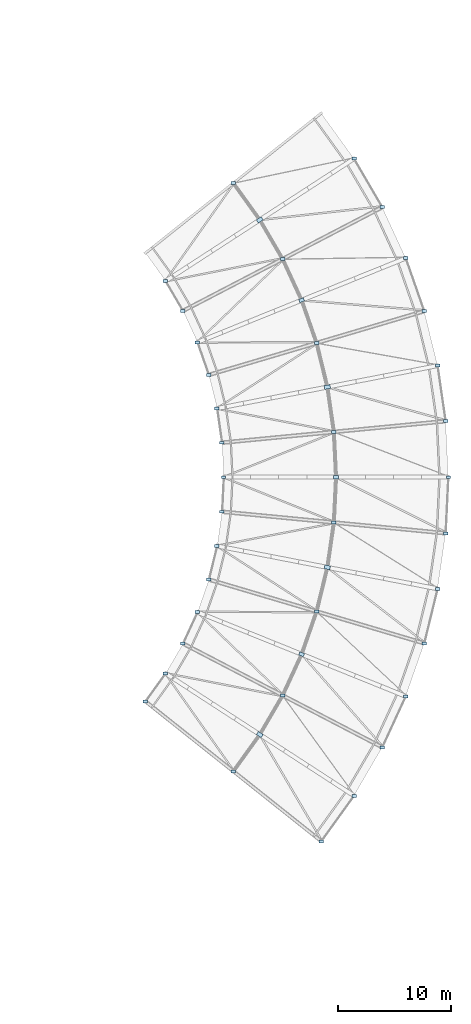
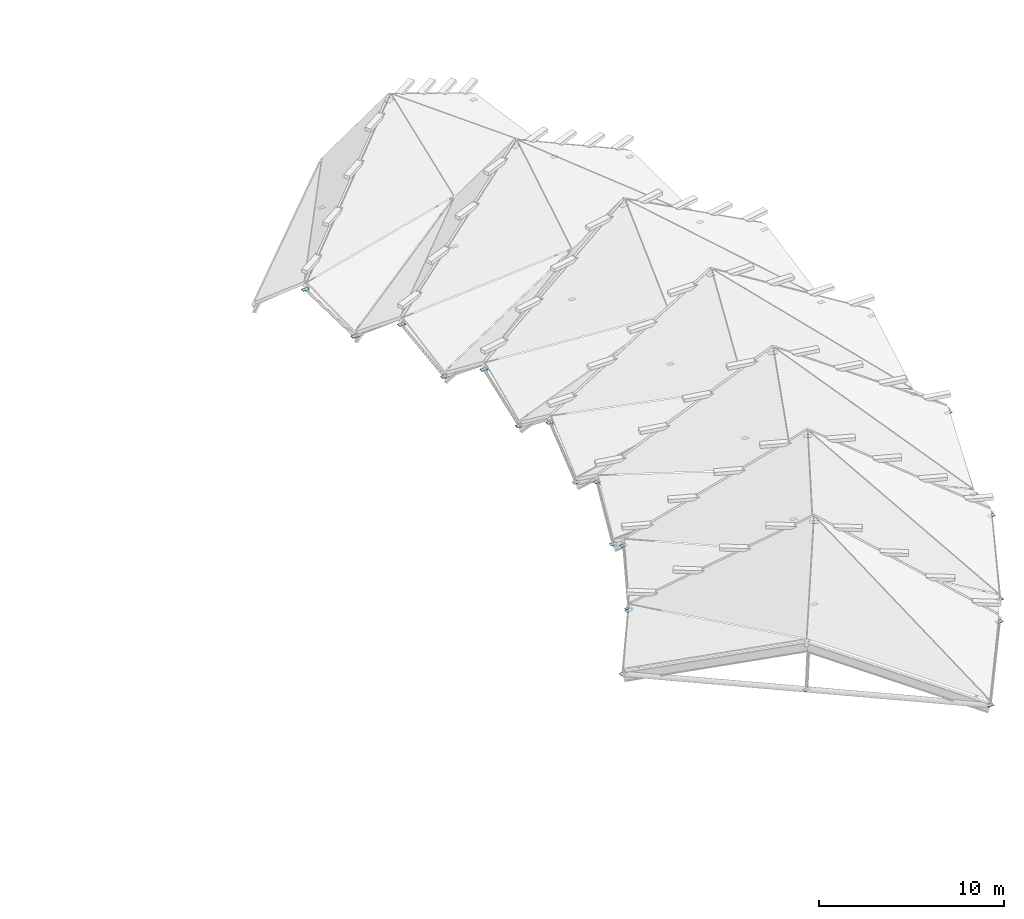
# One storey, part 9 of 10: 43 plates.
"""IFC4 building model written with IfcOpenShell, lengths in metres."""

from ifc_helpers import new_model, si_unit, direction, frame, origin, origin_2d, place, context, subcontext, project, spatial, rectangle, extrude, material, layer, layer_set, type_object, element, save


model = new_model("IFC4")

# Units and contexts
model_context = context("Model", 3, precision=1e-05, world=origin(), true_north=direction((0.0, 1.0)))
body_context = subcontext(model_context, "Body", "Model", "MODEL_VIEW")
ifc_project = project(units=[si_unit("LENGTHUNIT", "METRE"), si_unit("AREAUNIT", "SQUARE_METRE"), si_unit("VOLUMEUNIT", "CUBIC_METRE"), si_unit("PLANEANGLEUNIT", "RADIAN"), si_unit("MASSUNIT", "GRAM", prefix="KILO")], contexts=[model_context])

# Site, building, storey
site_placement = place(None, origin())
site = spatial("IfcSite", under=ifc_project, at=site_placement, CompositionType="ELEMENT")
building_placement = place(site_placement, origin())
building = spatial("IfcBuilding", under=site, at=building_placement, Name="Vanh Quang Courtyard School", CompositionType="ELEMENT")
storey_placement = place(building_placement, frame((0.0, 0.0, 25.800048828125)))
storey = spatial("IfcBuildingStorey", under=building, at=storey_placement, Name="ROOF", CompositionType="ELEMENT", Elevation=25.800048828125)

# Plates
ifc_material = material(Name="Structural steel EN 10025-2 S355J2", Category="steel")
ifc_layer_1 = layer(ifc_material, 0.011962890625)
ifc_layer_set_1 = layer_set([ifc_layer_1], Name="Structural steel EN 10025-2 S355J2")
plate_type_1 = type_object("IfcPlateType", Name="PLT-GUS-390x260x12", PredefinedType="USERDEFINED", material=ifc_layer_set_1)
for number, where, z_axis, x_axis, name in (
    (1, (144.869384765625, 29.8544921875, -15.90625), (0.0, 0.0, 1.0), (1.0, 0.0, 0.0), "Plate PG-03 (ROOF)"),
    (2, (149.25439453125, 36.606689453125, -15.90625), (0.0, 0.0, 1.0), (1.0, 0.0, 0.0), "Plate PG-03 (ROOF)"),
    (3, (137.04345703125, 36.07958984375, -15.90625), (0.0, 0.0, 1.0), (1.0, 0.0, 0.0), "Plate PG-03 (ROOF)"),
    (4, (138.83740234375, 38.571533203125, -13.88623046875), (0.0, 0.0, 1.0), (1.0, 0.0, 0.0), "Plate PG-03 (ROOF)"),
    (5, (152.695556640625, 23.629150390625, -15.90625), (0.0, 0.0, 1.0), (1.0, 0.0, 0.0), "Plate PG-03 (ROOF)"),
    (6, (155.61083984375, 27.6787109375, -13.88623046875), (0.0, 0.0, 1.0), (1.0, 0.0, 0.0), "Plate PG-03 (ROOF)"),
    (7, (152.2705078125, 44.0712890625, -15.90625), (0.0, 0.0, 1.0), (1.0, 0.0, 0.0), "Plate PG-03 (ROOF)"),
    (8, (140.38427734375, 41.22412109375, -15.90625), (0.0, 0.0, 1.0), (1.0, 0.0, 0.0), "Plate PG-03 (ROOF)"),
    (9, (141.669921875, 44.0126953125, -13.88623046875), (0.0, 0.0, 1.0), (1.0, 0.0, 0.0), "Plate PG-03 (ROOF)"),
    (10, (158.12451171875, 31.989013671875, -15.90625), (0.0, 0.0, 1.0), (1.0, 0.0, 0.0), "Plate PG-03 (ROOF)"),
    (11, (160.213623046875, 36.5205078125, -13.88623046875), (0.0, 0.0, 1.0), (1.0, 0.0, 0.0), "Plate PG-03 (ROOF)"),
    (12, (153.806640625, 51.974609375, -15.90625), (0.0, 0.0, 1.0), (1.0, 0.0, 0.0), "Plate PG-03 (ROOF)"),
    (13, (142.68212890625, 46.91162109375, -15.90625), (0.0, 0.0, 1.0), (1.0, 0.0, 0.0), "Plate PG-03 (ROOF)"),
    (14, (143.412109375, 49.89404296875, -13.88623046875), (0.0, 0.0, 1.0), (1.0, 0.0, 0.0), "Plate PG-03 (ROOF)"),
    (15, (161.858642578125, 41.231201171875, -15.90625), (0.0, 0.0, 1.0), (1.0, 0.0, 0.0), "Plate PG-03 (ROOF)"),
    (16, (163.044677734375, 46.077880859375, -13.88623046875), (0.0, 0.0, 1.0), (1.0, 0.0, 0.0), "Plate PG-03 (ROOF)"),
    (17, (153.806640625, 60.025390625, -15.90625), (0.0, 0.0, 1.0), (1.0, 0.0, 0.0), "Plate PG-03 (ROOF)"),
    (18, (143.852783203125, 52.932861328125, -15.90625), (0.0, 0.0, 1.0), (1.0, 0.0, 0.0), "Plate PG-03 (ROOF)"),
    (19, (144.0, 56.0, -13.88623046875), (0.0, 0.0, 1.0), (1.0, 0.0, 0.0), "Plate PG-03 (ROOF)"),
    (20, (163.760498046875, 51.01611328125, -15.90625), (0.0, 0.0, 1.0), (1.0, 0.0, 0.0), "Plate PG-03 (ROOF)"),
    (21, (164.0, 56.0, -13.88623046875), (0.0, 0.0, 1.0), (1.0, 0.0, 0.0), "Plate PG-03 (ROOF)"),
    (22, (152.2705078125, 67.9287109375, -15.90625), (0.0, 0.0, 1.0), (1.0, 0.0, 0.0), "Plate PG-03 (ROOF)"),
    (23, (143.852783203125, 59.067138671875, -15.90625), (0.0, 0.0, 1.0), (1.0, 0.0, 0.0), "Plate PG-03 (ROOF)"),
    (24, (143.412109375, 62.10595703125, -13.88623046875), (0.0, 0.0, 1.0), (1.0, 0.0, 0.0), "Plate PG-03 (ROOF)"),
    (25, (163.760498046875, 60.98388671875, -15.90625), (0.0, 0.0, 1.0), (1.0, 0.0, 0.0), "Plate PG-03 (ROOF)"),
    (26, (163.044677734375, 65.922119140625, -13.88623046875), (0.0, 0.0, 1.0), (1.0, 0.0, 0.0), "Plate PG-03 (ROOF)"),
    (27, (149.25439453125, 75.393310546875, -15.90625), (0.0, 0.0, 1.0), (1.0, 0.0, 0.0), "Plate PG-03 (ROOF)"),
    (28, (142.68212890625, 65.08837890625, -15.90625), (0.0, 0.0, 1.0), (1.0, 0.0, 0.0), "Plate PG-03 (ROOF)"),
    (29, (141.669921875, 67.9873046875, -13.88623046875), (0.0, 0.0, 1.0), (1.0, 0.0, 0.0), "Plate PG-03 (ROOF)"),
    (30, (161.858642578125, 70.768798828125, -15.90625), (0.0, 0.0, 1.0), (1.0, 0.0, 0.0), "Plate PG-03 (ROOF)"),
    (31, (160.213623046875, 75.4794921875, -13.88623046875), (0.0, 0.0, 1.0), (1.0, 0.0, 0.0), "Plate PG-03 (ROOF)"),
    (32, (144.869384765625, 82.1455078125, -15.90625), (0.0, 0.0, 1.0), (1.0, 0.0, 0.0), "Plate PG-03 (ROOF)"),
    (33, (140.38427734375, 70.77587890625, -15.90625), (0.0, 0.0, 1.0), (1.0, 0.0, 0.0), "Plate PG-03 (ROOF)"),
    (34, (138.83740234375, 73.428466796875, -13.88623046875), (0.0, 0.0, 1.0), (1.0, 0.0, 0.0), "Plate PG-03 (ROOF)"),
    (35, (158.12451171875, 80.010986328125, -15.90625), (0.0, 0.0, 1.0), (1.0, 0.0, 0.0), "Plate PG-03 (ROOF)"),
    (36, (155.61083984375, 84.3212890625, -13.88623046875), (0.0, 0.0, 1.0), (1.0, 0.0, 0.0), "Plate PG-03 (ROOF)"),
):
    element("IfcPlate", number, at=place(storey_placement, frame(where, z_axis=z_axis, x_axis=x_axis)), inside=storey, type_object=plate_type_1, Name=name, ObjectType="GUSSET_PLATE", PredefinedType="USERDEFINED", context=body_context, shape_type="SweptSolid", body=[
        extrude(rectangle(XDim=0.389892578125, YDim=0.260009765625, at=origin_2d()), origin(), (0.0, 0.0, 1.0), 0.011962890625),
    ])
ifc_layer_2 = layer(ifc_material, 0.01611328125)
ifc_layer_set_2 = layer_set([ifc_layer_2], Name="Structural steel EN 10025-2 S355J2")
plate_type_2 = type_object("IfcPlateType", Name="PLT-GUS-450x300x16", PredefinedType="USERDEFINED", material=ifc_layer_set_2)
for number, where, z_axis, x_axis, name in (
    (37, (150.941650390625, 40.2666015625, -7.68798828125), (0.0, 0.0, 1.0), (0.927183854567, -0.374606593416, 0.0), "Plate PG-02 (ROOF)"),
    (38, (154.0, 56.0, -7.68798828125), (0.0, 0.0, 1.0), (1.0, 0.0, 0.0), "Plate PG-02 (ROOF)"),
    (39, (150.941650390625, 71.7333984375, -7.68798828125), (0.0, 0.0, 1.0), (0.927183854567, 0.374606593416, 0.0), "Plate PG-02 (ROOF)"),
):
    element("IfcPlate", number, at=place(storey_placement, frame(where, z_axis=z_axis, x_axis=x_axis)), inside=storey, type_object=plate_type_2, Name=name, ObjectType="GUSSET_PLATE", PredefinedType="USERDEFINED", context=body_context, shape_type="SweptSolid", body=[
        extrude(rectangle(XDim=0.449951171875, YDim=0.300048828125, at=origin_2d()), origin(), (0.0, 0.0, 1.0), 0.01611328125),
    ])
ifc_layer_3 = layer(ifc_material, 0.02001953125)
ifc_layer_set_3 = layer_set([ifc_layer_3], Name="Structural steel EN 10025-2 S355J2")
plate_type_3 = type_object("IfcPlateType", Name="PLT-GUS-520x340x20", PredefinedType="USERDEFINED", material=ifc_layer_set_3)
for number, where, z_axis, x_axis, name in (
    (40, (147.22412109375, 33.125244140625, -7.68994140625), (0.0, 0.0, 1.0), (0.838670567945, -0.544639035015, 0.0), "Plate PG-01 (ROOF)"),
    (41, (153.228271484375, 47.986083984375, -7.68994140625), (0.0, 0.0, 1.0), (0.981627183448, -0.190808995377, 0.0), "Plate PG-01 (ROOF)"),
    (42, (153.228271484375, 64.013916015625, -7.68994140625), (0.0, 0.0, 1.0), (0.981627183448, 0.190808995377, 0.0), "Plate PG-01 (ROOF)"),
    (43, (147.22412109375, 78.874755859375, -7.68994140625), (0.0, 0.0, 1.0), (0.838670567945, 0.544639035015, 0.0), "Plate PG-01 (ROOF)"),
):
    element("IfcPlate", number, at=place(storey_placement, frame(where, z_axis=z_axis, x_axis=x_axis)), inside=storey, type_object=plate_type_3, Name=name, ObjectType="GUSSET_PLATE", PredefinedType="USERDEFINED", context=body_context, shape_type="SweptSolid", body=[
        extrude(rectangle(XDim=0.52001953125, YDim=0.340087890625, at=origin_2d()), origin(), (0.0, 0.0, 1.0), 0.02001953125),
    ])

save(model, "model.ifc")
